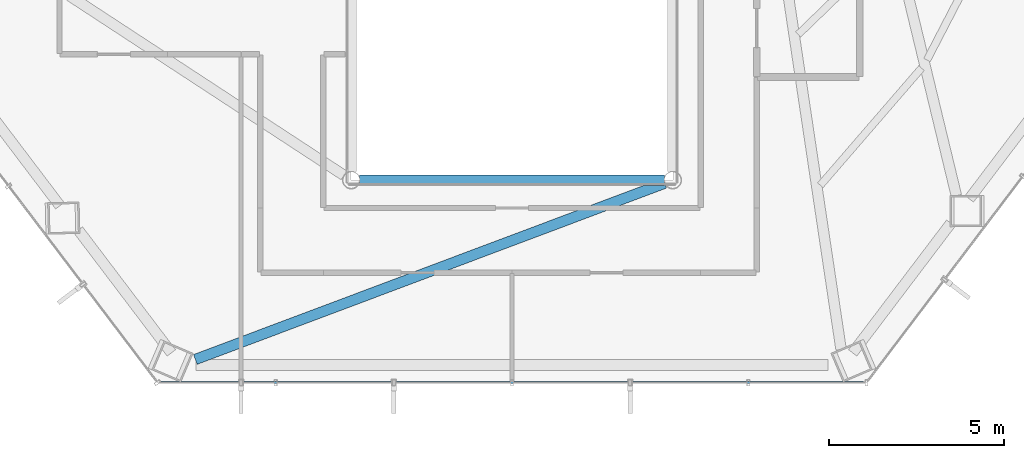
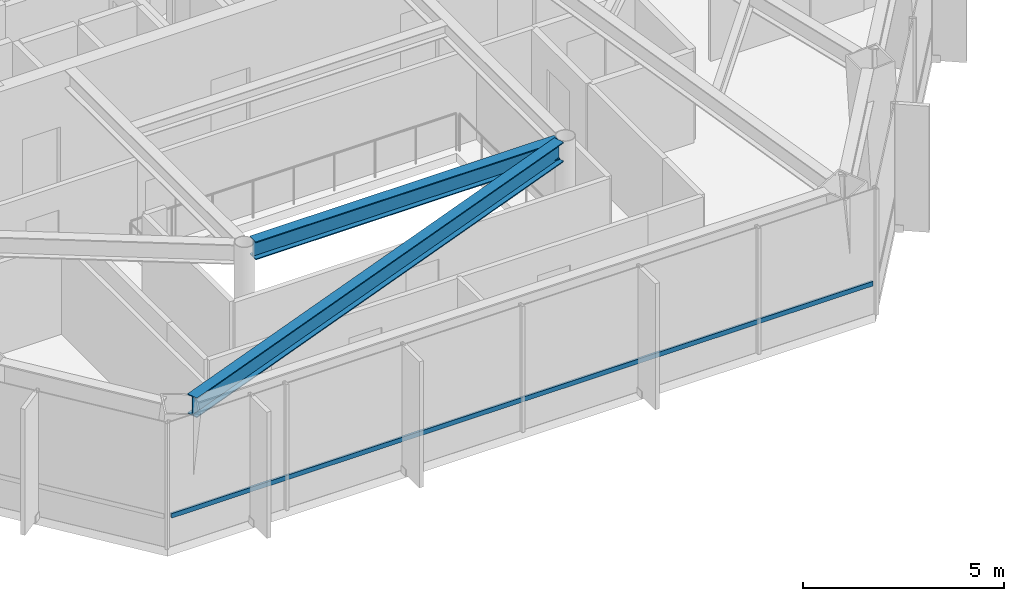
# One storey, part 9 of 27: 2 beams, 1 member, 1 element without a shape of its own.
"""IFC4 building model written with IfcOpenShell, lengths in metres."""

from ifc_helpers import new_model, si_unit, direction, frame, origin, origin_2d, place, context, subcontext, project, spatial, hollow_rectangle, i_section, extrude, material, layer, layer_set, material_profile, profile_set, type_object, element, aggregate, save


model = new_model("IFC4")

# Units and contexts
model_context = context("Model", 3, precision=1e-05, world=origin(), true_north=direction((0.0, 1.0)))
body_context = subcontext(model_context, "Body", "Model", "MODEL_VIEW")
ifc_project = project(units=[si_unit("LENGTHUNIT", "METRE"), si_unit("AREAUNIT", "SQUARE_METRE"), si_unit("VOLUMEUNIT", "CUBIC_METRE"), si_unit("PLANEANGLEUNIT", "RADIAN"), si_unit("MASSUNIT", "GRAM", prefix="KILO")], contexts=[model_context])

# Site, building, storey
site_placement = place(None, origin())
site = spatial("IfcSite", under=ifc_project, at=site_placement, CompositionType="ELEMENT")
building_placement = place(site_placement, origin())
building = spatial("IfcBuilding", under=site, at=building_placement, Name="Zarrinselat Tower", CompositionType="ELEMENT")
storey_placement = place(building_placement, frame((0.0, 0.0, 80.580078125)))
storey = spatial("IfcBuildingStorey", under=building, at=storey_placement, Name="L19", CompositionType="ELEMENT", Elevation=80.580078125)

# Beams
ifc_material_1 = material(Name="Steel S355J2", Category="steel")
ifc_material_profile_1 = material_profile(ifc_material_1, i_section(OverallWidth=0.300048828125, OverallDepth=0.550048828125, WebThickness=0.014892578125, FlangeThickness=0.029052734375, at=origin_2d()), Name="HEB 550")
ifc_profile_set_1 = profile_set([ifc_material_profile_1], Name="Steel S355J2")
beam_type_1 = type_object("IfcBeamType", Name="BM-HEB550", PredefinedType="BEAM", material=ifc_profile_set_1)
beam_1_placement = place(storey_placement, frame((34.0400390625, 24.39990234375, 3.544921875), z_axis=(1.0, 0.0, 0.0), x_axis=(0.0, 1.0, 0.0)))
element("IfcBeam", 1, at=beam_1_placement, inside=storey, type_object=beam_type_1, Name="L19 Atrium Edge Beam S", PredefinedType="BEAM", context=body_context, shape_type="SweptSolid", body=[
    extrude(i_section(OverallWidth=0.300048828125, OverallDepth=0.550048828125, WebThickness=0.014892578125, FlangeThickness=0.029052734375, at=origin_2d()), origin(), (0.0, 0.0, 1.0), 8.719970703125),
])
ifc_material_2 = material(Name="Steel S355J2", Category="steel")
ifc_material_profile_2 = material_profile(ifc_material_2, i_section(OverallWidth=0.300048828125, OverallDepth=0.60009765625, WebThickness=0.015380859375, FlangeThickness=0.030029296875, at=origin_2d()), Name="HEB 600")
ifc_profile_set_2 = profile_set([ifc_material_profile_2], Name="Steel S355J2")
beam_type_2 = type_object("IfcBeamType", Name="BM-HEB600", PredefinedType="BEAM", material=ifc_profile_set_2)
beam_2_placement = place(storey_placement, frame((29.340576171875, 19.268798828125, 3.52001953125), z_axis=(0.936131044829, 0.35165134282, 0.0), x_axis=(-0.35165134282, 0.936131044829, 0.0)))
element("IfcBeam", 2, at=beam_2_placement, inside=storey, type_object=beam_type_2, Name="L19 Radial Primary Girder RG10", PredefinedType="BEAM", context=body_context, shape_type="SweptSolid", body=[
    extrude(i_section(OverallWidth=0.300048828125, OverallDepth=0.60009765625, WebThickness=0.015380859375, FlangeThickness=0.030029296875, at=origin_2d()), origin(), (0.0, 0.0, 1.0), 14.341552734375),
])

# Curtain wall, member
ifc_material_3 = material(Name="Extruded Aluminium Alloy EN AW-6063 T6", Category="aluminium")
ifc_layer = layer(ifc_material_3, 0.18505859375)
ifc_layer_set = layer_set([ifc_layer], Name="Extruded Aluminium Alloy EN AW-6063 T6")
curtain_wall_type = type_object("IfcCurtainWallType", Name="CWS-OFF", PredefinedType="NOTDEFINED", material=ifc_layer_set)
curtain_wall_placement = place(storey_placement, origin())
curtain_wall = element("IfcCurtainWall", 3, at=curtain_wall_placement, inside=storey, type_object=curtain_wall_type, Name="L19 Unitised Curtain Wall CW-L19-E04", PredefinedType="NOTDEFINED")
ifc_material_4 = material(Name="Extruded Aluminium Alloy EN AW-6063 T6", Category="aluminium")
ifc_material_profile_3 = material_profile(ifc_material_4, hollow_rectangle(XDim=0.06005859375, YDim=0.139892578125, WallThickness=0.00390625, at=origin_2d()), Name="RHS 140x60x4")
ifc_profile_set_3 = profile_set([ifc_material_profile_3], Name="Extruded Aluminium Alloy EN AW-6063 T6")
member_type = type_object("IfcMemberType", Name="MEM-CW-TRN", PredefinedType="USERDEFINED", material=ifc_profile_set_3)
member_placement = place(storey_placement, frame((28.3447265625, 18.60498046875, 0.949951171875), z_axis=(1.0, 0.0, 0.0), x_axis=(0.0, 1.0, 0.0)))
member = element("IfcMember", 4, at=member_placement, type_object=member_type, Name="CW-L19-E04 Transom 1", ObjectType="TRANSOM", PredefinedType="USERDEFINED", context=body_context, shape_type="SweptSolid", body=[
    extrude(hollow_rectangle(XDim=0.06005859375, YDim=0.139892578125, WallThickness=0.00390625, at=origin_2d()), origin(), (0.0, 0.0, 1.0), 20.1103515625),
])
aggregate(curtain_wall, [member])

save(model, "model.ifc")
